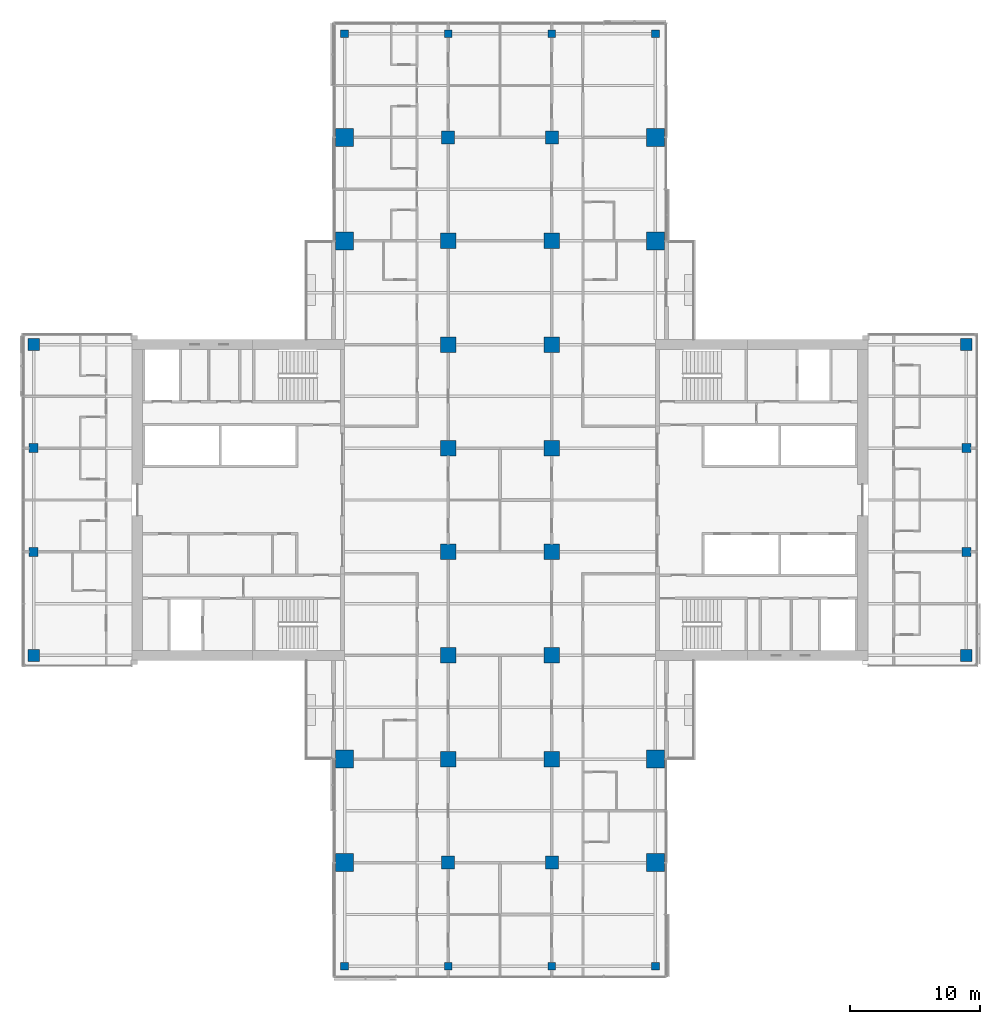
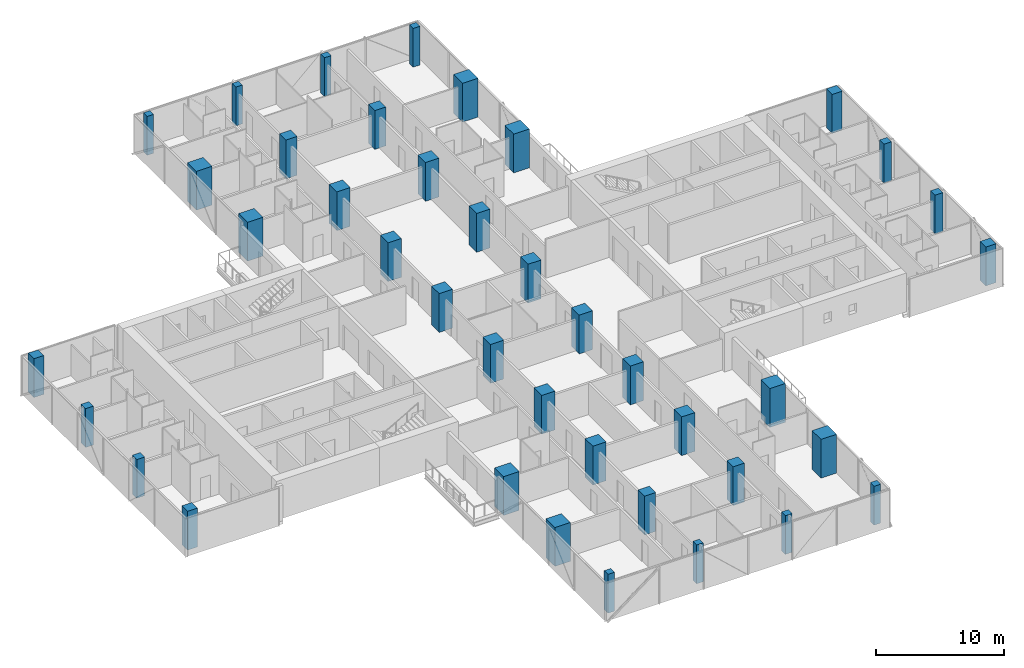
# One storey, part 1 of 27: 40 columns.
"""IFC4 building model written with IfcOpenShell, lengths in metres."""

import ifcopenshell
import ifcopenshell.guid

model = None  # the IFC model being written
_history = None  # IfcOwnerHistory: only IFC2X3 demands one
_inside = {}  # id of a spatial element -> (the spatial element, [elements in it])
_under = {}  # id of a project, library or spatial element -> (it, [spatial elements below it])
_declared = {}  # id of a project -> (the project, [libraries it declares])
_typed = {}  # id of a type object -> (the type object, [elements of that type])
_made_of = {}  # id of a material, layer set ... -> (it, [elements and type objects made of it])


def new_model(schema):
    """Start an empty IFC model of exactly this schema.

    Asked for "IFC4X3", IfcOpenShell would pick the latest addendum, in which some entities
    have other attributes; the version numbers below select the first issue.
    IFC2X3 requires an IfcOwnerHistory on every rooted entity: one is made here for all.
    """
    global model, _history
    if schema == "IFC4X3":
        model = ifcopenshell.file(schema_version=(4, 3, 0, 0))
    else:
        model = ifcopenshell.file(schema=schema)
    _inside.clear()
    _under.clear()
    _declared.clear()
    _typed.clear()
    _made_of.clear()
    _history = None
    if model.schema == "IFC2X3":
        org = make("IfcOrganization", Name="unknown")
        user = make(
            "IfcPersonAndOrganization",
            ThePerson=make("IfcPerson", FamilyName="unknown"),
            TheOrganization=org,
        )
        app = make(
            "IfcApplication",
            ApplicationDeveloper=org,
            Version="unknown",
            ApplicationFullName="unknown",
            ApplicationIdentifier="unknown",
        )
        _history = make(
            "IfcOwnerHistory",
            OwningUser=user,
            OwningApplication=app,
            ChangeAction="ADDED",
            CreationDate=0,
        )
    return model


def make(cls, **values):
    """One entity of the class cls with the attributes given. An attribute that is None is left unset."""
    return model.create_entity(
        cls, **{name: value for name, value in values.items() if value is not None}
    )


def rooted(cls, **values):
    """An entity with a GlobalId (a new one), such as an element, a storey or a relation."""
    return make(cls, GlobalId=ifcopenshell.guid.new(), OwnerHistory=_history, **values)


def si_unit(unit_type, name, prefix=None):
    """IfcSIUnit, for example si_unit("LENGTHUNIT", "METRE", prefix="MILLI")."""
    return make("IfcSIUnit", UnitType=unit_type, Prefix=prefix, Name=name)


def assignment(units):
    """IfcUnitAssignment: the units of a project."""
    return None if units is None else make("IfcUnitAssignment", Units=units)


def point(xyz):
    """IfcCartesianPoint."""
    return None if xyz is None else make("IfcCartesianPoint", Coordinates=xyz)


def direction(xyz):
    """IfcDirection."""
    return None if xyz is None else make("IfcDirection", DirectionRatios=xyz)


def frame(location, z_axis=None, x_axis=None):
    """IfcAxis2Placement3D, a coordinate frame: its origin and axes. An axis left out is left unset."""
    return make(
        "IfcAxis2Placement3D",
        Location=point(location),
        Axis=direction(z_axis),
        RefDirection=direction(x_axis),
    )


def frame_2d(location, x_axis=None):
    """IfcAxis2Placement2D, a coordinate frame in the plane: its origin and x axis."""
    return make(
        "IfcAxis2Placement2D", Location=point(location), RefDirection=direction(x_axis)
    )


def origin():
    """The frame at (0, 0, 0) with its axes left unset."""
    return frame((0.0, 0.0, 0.0))


def origin_2d():
    """The frame at (0, 0) in the plane with its x axis left unset."""
    return frame_2d((0.0, 0.0))


def place(relative_to, where):
    """IfcLocalPlacement: puts the frame where relative to a parent placement (None: the world)."""
    return make(
        "IfcLocalPlacement", PlacementRelTo=relative_to, RelativePlacement=where
    )


def context(
    kind, dimensions, precision=None, world=None, true_north=None, identifier=None
):
    """IfcGeometricRepresentationContext, for example the 3D "Model" context."""
    return make(
        "IfcGeometricRepresentationContext",
        ContextIdentifier=identifier,
        ContextType=kind,
        CoordinateSpaceDimension=dimensions,
        Precision=precision,
        WorldCoordinateSystem=world,
        TrueNorth=true_north,
    )


def subcontext(parent, identifier, kind, view, scale=None):
    """IfcGeometricRepresentationSubContext, for example "Body" below "Model"."""
    return make(
        "IfcGeometricRepresentationSubContext",
        ContextIdentifier=identifier,
        ContextType=kind,
        ParentContext=parent,
        TargetScale=scale,
        TargetView=view,
    )


def project(units=None, contexts=None):
    """IfcProject with its units and contexts."""
    return rooted(
        "IfcProject",
        Name="project",
        RepresentationContexts=contexts,
        UnitsInContext=assignment(units),
    )


def spatial(cls, under=None, at=None, **own):
    """A site, building, storey or space (cls), placed at a placement, below another one or the project."""
    s = rooted(cls, ObjectPlacement=at, **own)
    if under is not None:
        _under.setdefault(under.id(), (under, []))[1].append(s)
    return s


def profile(cls, at=None, kind="AREA", **sizes):
    """A parametric profile (cls). Its sizes go by their IFC names, for example OverallWidth=200.0."""
    return make(cls, ProfileType=kind, Position=at, **sizes)


def rectangle(**sizes):
    """IfcRectangleProfileDef."""
    return profile("IfcRectangleProfileDef", **sizes)


def extrude(swept, where, along, depth):
    """IfcExtrudedAreaSolid: the profile swept, set in the frame where, extruded along a direction by depth."""
    return make(
        "IfcExtrudedAreaSolid",
        SweptArea=swept,
        Position=where,
        ExtrudedDirection=direction(along),
        Depth=depth,
    )


def shape(context_of_items, identifier, shape_type, items):
    """IfcShapeRepresentation: the items that make up one representation, for example the "Body"."""
    return make(
        "IfcShapeRepresentation",
        ContextOfItems=context_of_items,
        RepresentationIdentifier=identifier,
        RepresentationType=shape_type,
        Items=items,
    )


def material(Name=None, Category=None):
    """IfcMaterial."""
    return make("IfcMaterial", Name=Name, Category=Category)


def material_profile(
    of_material, cross_section, Name=None, Category=None, Priority=None
):
    """IfcMaterialProfile: a cross section and its material."""
    return make(
        "IfcMaterialProfile",
        Name=Name,
        Material=of_material,
        Profile=cross_section,
        Priority=Priority,
        Category=Category,
    )


def profile_set(profiles, Name=None, composite=None):
    """IfcMaterialProfileSet."""
    return make(
        "IfcMaterialProfileSet",
        Name=Name,
        MaterialProfiles=profiles,
        CompositeProfile=composite,
    )


def made_of(thing, what):
    """Note that an element or type object is made of a material, layer set ...; save() writes the relation."""
    if what is not None:
        _made_of.setdefault(what.id(), (what, []))[1].append(thing)
    return thing


def type_object(cls, material=None, **own):
    """A type object (cls), such as IfcWallType, which elements share."""
    return made_of(rooted(cls, **own), material)


def element(
    cls,
    number,
    at=None,
    inside=None,
    cuts=None,
    type_object=None,
    material=None,
    context=None,
    identifier="Body",
    shape_type=None,
    held_by="IfcProductDefinitionShape",
    body=None,
    shapes=None,
    **own,
):
    """One element of the class cls, such as IfcWall. Its Tag is "e" and its number.

    at: its placement. inside: the storey or other place that contains it. cuts: it is an
    opening in that element (IfcRelVoidsElement). A single representation is given by context,
    identifier, shape_type and body (its items); several are given by shapes. held_by: the class
    of the entity that holds the representations. save() writes the other relations.
    """
    e = rooted(cls, Tag="e%d" % number, ObjectPlacement=at, **own)
    if body is not None:
        shapes = [shape(context, identifier, shape_type, body)]
    if shapes is not None:
        e.Representation = make(held_by, Representations=shapes)
    if inside is not None:
        _inside.setdefault(inside.id(), (inside, []))[1].append(e)
    if cuts is not None:
        rooted(
            "IfcRelVoidsElement", RelatingBuildingElement=cuts, RelatedOpeningElement=e
        )
    if type_object is not None:
        _typed.setdefault(type_object.id(), (type_object, []))[1].append(e)
    return made_of(e, material)


def aggregate(whole, parts):
    """IfcRelAggregates: a whole, such as a stair, and the parts it consists of."""
    return rooted("IfcRelAggregates", RelatingObject=whole, RelatedObjects=parts)


def save(model, path):
    """Write the relations noted so far, then the file.

    IfcRelAggregates (storeys below a building ...), IfcRelContainedInSpatialStructure (elements
    in a storey), IfcRelDefinesByType, IfcRelAssociatesMaterial and IfcRelDeclares: one each for
    every whole, place, type object, material and project.
    """
    for whole, parts in _under.values():
        aggregate(whole, parts)
    for where, things in _inside.values():
        rooted(
            "IfcRelContainedInSpatialStructure",
            RelatedElements=things,
            RelatingStructure=where,
        )
    for kind, things in _typed.values():
        rooted("IfcRelDefinesByType", RelatedObjects=things, RelatingType=kind)
    for what, things in _made_of.values():
        rooted("IfcRelAssociatesMaterial", RelatedObjects=things, RelatingMaterial=what)
    for by, libraries in _declared.values():
        rooted("IfcRelDeclares", RelatingContext=by, RelatedDefinitions=libraries)
    model.write(path)


model = new_model("IFC4")

# Units and contexts
model_context = context("Model", 3, precision=1e-05, world=origin(), true_north=direction((0.0, 1.0)))
body_context = subcontext(model_context, "Body", "Model", "MODEL_VIEW")
ifc_project = project(units=[si_unit("LENGTHUNIT", "METRE"), si_unit("AREAUNIT", "SQUARE_METRE"), si_unit("VOLUMEUNIT", "CUBIC_METRE"), si_unit("PLANEANGLEUNIT", "RADIAN"), si_unit("MASSUNIT", "GRAM", prefix="KILO")], contexts=[model_context])

# Site, building, storey
site_placement = place(None, origin())
site = spatial("IfcSite", under=ifc_project, at=site_placement, CompositionType="ELEMENT")
building_placement = place(site_placement, origin())
building = spatial("IfcBuilding", under=site, at=building_placement, Name="Crosswind Convention Tower", CompositionType="ELEMENT")
storey_placement = place(building_placement, frame((0.0, 0.0, 86.800048828125)))
storey = spatial("IfcBuildingStorey", under=building, at=storey_placement, Name="L16", CompositionType="ELEMENT", Elevation=86.800048828125)

# Columns
ifc_material_1 = material(Name="Concrete C70/85", Category="concrete")
ifc_material_profile_1 = material_profile(ifc_material_1, rectangle(XDim=1.0, YDim=1.0, at=origin_2d()), Name="RC 1000X1000")
ifc_profile_set_1 = profile_set([ifc_material_profile_1], Name="Concrete C70/85")
column_type_1 = type_object("IfcColumnType", Name="Column RC 1000X1000", PredefinedType="COLUMN", material=ifc_profile_set_1)
for number, where, z_axis, x_axis, name in (
    (1, (121.0, 72.0, 0.0), (0.0, 0.0, 1.0), (1.0, 0.0, 0.0), "C12 L16 6/C"),
    (2, (121.0, 128.0, 0.0), (0.0, 0.0, 1.0), (1.0, 0.0, 0.0), "C12 L16 6/J"),
    (3, (129.0, 72.0, 0.0), (0.0, 0.0, 1.0), (1.0, 0.0, 0.0), "C12 L16 7/C"),
    (4, (129.0, 128.0, 0.0), (0.0, 0.0, 1.0), (1.0, 0.0, 0.0), "C12 L16 7/J"),
):
    element("IfcColumn", number, at=place(storey_placement, frame(where, z_axis=z_axis, x_axis=x_axis)), inside=storey, type_object=column_type_1, Name=name, PredefinedType="COLUMN", context=body_context, shape_type="SweptSolid", body=[
        extrude(rectangle(XDim=1.0, YDim=1.0, at=origin_2d()), origin(), (0.0, 0.0, 1.0), 3.699951171875),
    ])
ifc_material_profile_2 = material_profile(ifc_material_1, rectangle(XDim=1.199951171875, YDim=1.199951171875, at=origin_2d()), Name="RC 1200X1200")
ifc_profile_set_2 = profile_set([ifc_material_profile_2], Name="Concrete C70/85")
column_type_2 = type_object("IfcColumnType", Name="Column RC 1200X1200", PredefinedType="COLUMN", material=ifc_profile_set_2)
for number, where, z_axis, x_axis, name in (
    (5, (121.0, 80.0, 0.0), (0.0, 0.0, 1.0), (1.0, 0.0, 0.0), "C11 L16 6/D"),
    (6, (121.0, 88.0, 0.0), (0.0, 0.0, 1.0), (1.0, 0.0, 0.0), "C11 L16 6/E"),
    (7, (121.0, 96.0, 0.0), (0.0, 0.0, 1.0), (1.0, 0.0, 0.0), "C11 L16 6/F"),
    (8, (121.0, 104.0, 0.0), (0.0, 0.0, 1.0), (1.0, 0.0, 0.0), "C11 L16 6/G"),
    (9, (121.0, 112.0, 0.0), (0.0, 0.0, 1.0), (1.0, 0.0, 0.0), "C11 L16 6/H"),
    (10, (121.0, 120.0, 0.0), (0.0, 0.0, 1.0), (1.0, 0.0, 0.0), "C11 L16 6/I"),
    (11, (129.0, 80.0, 0.0), (0.0, 0.0, 1.0), (1.0, 0.0, 0.0), "C11 L16 7/D"),
    (12, (129.0, 88.0, 0.0), (0.0, 0.0, 1.0), (1.0, 0.0, 0.0), "C11 L16 7/E"),
    (13, (129.0, 96.0, 0.0), (0.0, 0.0, 1.0), (1.0, 0.0, 0.0), "C11 L16 7/F"),
    (14, (129.0, 104.0, 0.0), (0.0, 0.0, 1.0), (1.0, 0.0, 0.0), "C11 L16 7/G"),
    (15, (129.0, 112.0, 0.0), (0.0, 0.0, 1.0), (1.0, 0.0, 0.0), "C11 L16 7/H"),
    (16, (129.0, 120.0, 0.0), (0.0, 0.0, 1.0), (1.0, 0.0, 0.0), "C11 L16 7/I"),
):
    element("IfcColumn", number, at=place(storey_placement, frame(where, z_axis=z_axis, x_axis=x_axis)), inside=storey, type_object=column_type_2, Name=name, PredefinedType="COLUMN", context=body_context, shape_type="SweptSolid", body=[
        extrude(rectangle(XDim=1.199951171875, YDim=1.199951171875, at=origin_2d()), origin(), (0.0, 0.0, 1.0), 3.699951171875),
    ])
ifc_material_2 = material(Name="Concrete C80/95", Category="concrete")
ifc_material_profile_3 = material_profile(ifc_material_2, rectangle(XDim=1.39990234375, YDim=1.39990234375, at=origin_2d()), Name="RC 1400X1400")
ifc_profile_set_3 = profile_set([ifc_material_profile_3], Name="Concrete C80/95")
column_type_3 = type_object("IfcColumnType", Name="Column RC 1400X1400", PredefinedType="COLUMN", material=ifc_profile_set_3)
for number, where, z_axis, x_axis, name in (
    (17, (113.0, 72.0, 0.0), (0.0, 0.0, 1.0), (1.0, 0.0, 0.0), "C10 L16 5/C"),
    (18, (113.0, 80.0, 0.0), (0.0, 0.0, 1.0), (1.0, 0.0, 0.0), "C10 L16 5/D"),
    (19, (113.0, 120.0, 0.0), (0.0, 0.0, 1.0), (1.0, 0.0, 0.0), "C10 L16 5/I"),
    (20, (113.0, 128.0, 0.0), (0.0, 0.0, 1.0), (1.0, 0.0, 0.0), "C10 L16 5/J"),
    (21, (137.0, 72.0, 0.0), (0.0, 0.0, 1.0), (1.0, 0.0, 0.0), "C10 L16 8/C"),
    (22, (137.0, 80.0, 0.0), (0.0, 0.0, 1.0), (1.0, 0.0, 0.0), "C10 L16 8/D"),
    (23, (137.0, 120.0, 0.0), (0.0, 0.0, 1.0), (1.0, 0.0, 0.0), "C10 L16 8/I"),
    (24, (137.0, 128.0, 0.0), (0.0, 0.0, 1.0), (1.0, 0.0, 0.0), "C10 L16 8/J"),
):
    element("IfcColumn", number, at=place(storey_placement, frame(where, z_axis=z_axis, x_axis=x_axis)), inside=storey, type_object=column_type_3, Name=name, PredefinedType="COLUMN", context=body_context, shape_type="SweptSolid", body=[
        extrude(rectangle(XDim=1.39990234375, YDim=1.39990234375, at=origin_2d()), origin(), (0.0, 0.0, 1.0), 3.699951171875),
    ])
ifc_material_3 = material(Name="Concrete C60/75", Category="concrete")
ifc_material_profile_4 = material_profile(ifc_material_3, rectangle(XDim=0.60009765625, YDim=0.60009765625, at=origin_2d()), Name="RC 600X600")
ifc_profile_set_4 = profile_set([ifc_material_profile_4], Name="Concrete C60/75")
column_type_4 = type_object("IfcColumnType", Name="Column RC 600X600", PredefinedType="COLUMN", material=ifc_profile_set_4)
for number, where, z_axis, x_axis, name in (
    (25, (113.0, 64.0, 0.0), (0.0, 0.0, 1.0), (1.0, 0.0, 0.0), "C16 L16 5/B"),
    (26, (113.0, 136.0, 0.0), (0.0, 0.0, 1.0), (1.0, 0.0, 0.0), "C16 L16 5/K"),
    (27, (121.0, 64.0, 0.0), (0.0, 0.0, 1.0), (1.0, 0.0, 0.0), "C16 L16 6/B"),
    (28, (121.0, 136.0, 0.0), (0.0, 0.0, 1.0), (1.0, 0.0, 0.0), "C16 L16 6/K"),
    (29, (129.0, 64.0, 0.0), (0.0, 0.0, 1.0), (1.0, 0.0, 0.0), "C16 L16 7/B"),
    (30, (129.0, 136.0, 0.0), (0.0, 0.0, 1.0), (1.0, 0.0, 0.0), "C16 L16 7/K"),
    (31, (137.0, 64.0, 0.0), (0.0, 0.0, 1.0), (1.0, 0.0, 0.0), "C16 L16 8/B"),
    (32, (137.0, 136.0, 0.0), (0.0, 0.0, 1.0), (1.0, 0.0, 0.0), "C16 L16 8/K"),
):
    element("IfcColumn", number, at=place(storey_placement, frame(where, z_axis=z_axis, x_axis=x_axis)), inside=storey, type_object=column_type_4, Name=name, PredefinedType="COLUMN", context=body_context, shape_type="SweptSolid", body=[
        extrude(rectangle(XDim=0.60009765625, YDim=0.60009765625, at=origin_2d()), origin(), (0.0, 0.0, 1.0), 3.699951171875),
    ])
ifc_material_profile_5 = material_profile(ifc_material_3, rectangle(XDim=0.699951171875, YDim=0.699951171875, at=origin_2d()), Name="RC 700X700")
ifc_profile_set_5 = profile_set([ifc_material_profile_5], Name="Concrete C60/75")
column_type_5 = type_object("IfcColumnType", Name="Column RC 700X700", PredefinedType="COLUMN", material=ifc_profile_set_5)
for number, where, z_axis, x_axis, name in (
    (33, (89.0, 96.0, 0.0), (0.0, 0.0, 1.0), (1.0, 0.0, 0.0), "C15 L16 2/F"),
    (34, (89.0, 104.0, 0.0), (0.0, 0.0, 1.0), (1.0, 0.0, 0.0), "C15 L16 2/G"),
    (35, (161.0, 96.0, 0.0), (0.0, 0.0, 1.0), (1.0, 0.0, 0.0), "C15 L16 11/F"),
    (36, (161.0, 104.0, 0.0), (0.0, 0.0, 1.0), (1.0, 0.0, 0.0), "C15 L16 11/G"),
):
    element("IfcColumn", number, at=place(storey_placement, frame(where, z_axis=z_axis, x_axis=x_axis)), inside=storey, type_object=column_type_5, Name=name, PredefinedType="COLUMN", context=body_context, shape_type="SweptSolid", body=[
        extrude(rectangle(XDim=0.699951171875, YDim=0.699951171875, at=origin_2d()), origin(), (0.0, 0.0, 1.0), 3.699951171875),
    ])
ifc_material_profile_6 = material_profile(ifc_material_3, rectangle(XDim=0.89990234375, YDim=0.89990234375, at=origin_2d()), Name="RC 900X900")
ifc_profile_set_6 = profile_set([ifc_material_profile_6], Name="Concrete C60/75")
column_type_6 = type_object("IfcColumnType", Name="Column RC 900X900", PredefinedType="COLUMN", material=ifc_profile_set_6)
for number, where, z_axis, x_axis, name in (
    (37, (89.0, 88.0, 0.0), (0.0, 0.0, 1.0), (1.0, 0.0, 0.0), "C13 L16 2/E"),
    (38, (89.0, 112.0, 0.0), (0.0, 0.0, 1.0), (1.0, 0.0, 0.0), "C13 L16 2/H"),
    (39, (161.0, 88.0, 0.0), (0.0, 0.0, 1.0), (1.0, 0.0, 0.0), "C13 L16 11/E"),
    (40, (161.0, 112.0, 0.0), (0.0, 0.0, 1.0), (1.0, 0.0, 0.0), "C13 L16 11/H"),
):
    element("IfcColumn", number, at=place(storey_placement, frame(where, z_axis=z_axis, x_axis=x_axis)), inside=storey, type_object=column_type_6, Name=name, PredefinedType="COLUMN", context=body_context, shape_type="SweptSolid", body=[
        extrude(rectangle(XDim=0.89990234375, YDim=0.89990234375, at=origin_2d()), origin(), (0.0, 0.0, 1.0), 3.699951171875),
    ])

save(model, "model.ifc")
